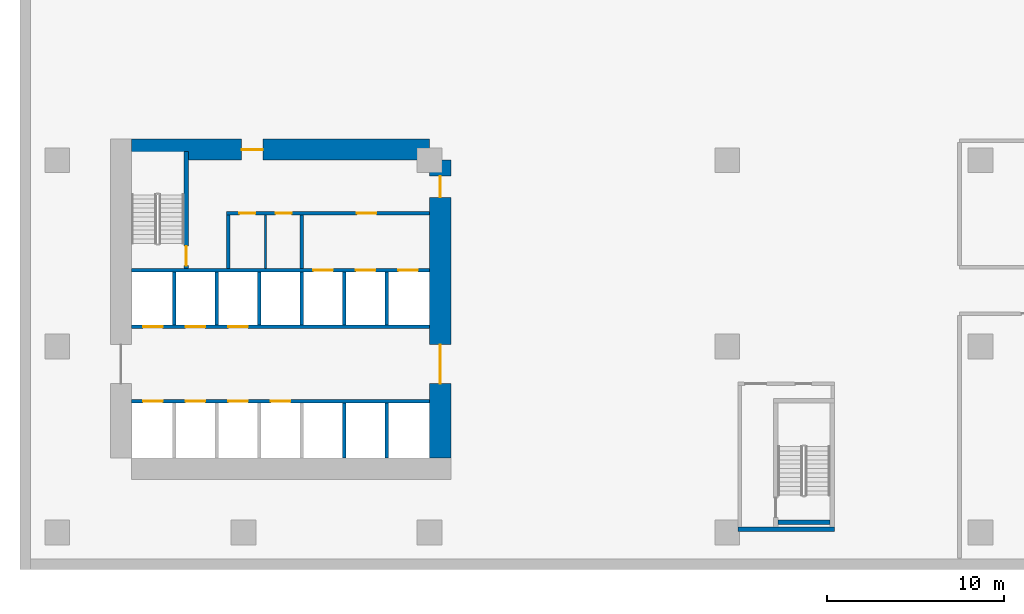
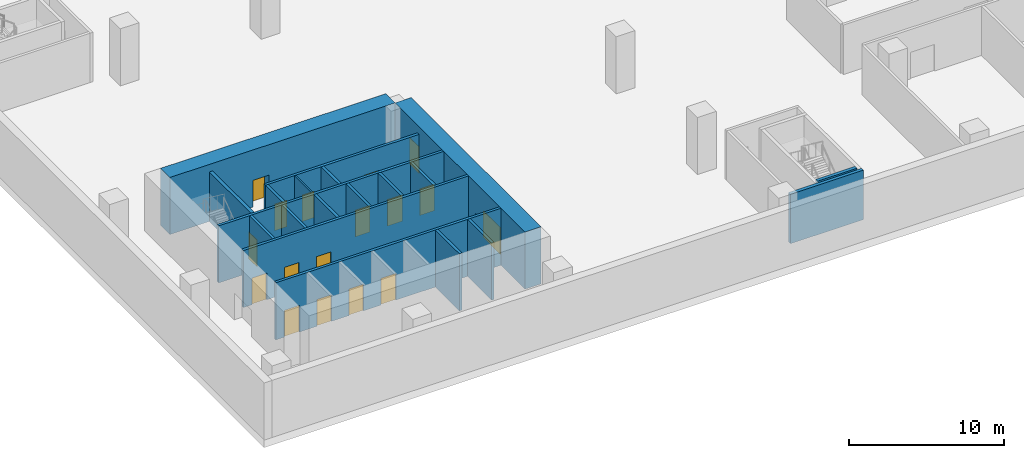
# One storey, part 2 of 12: 20 walls, 17 doors, 17 openings.
"""IFC4 building model written with IfcOpenShell, lengths in metres."""

from ifc_helpers import new_model, si_unit, direction, frame, frame_2d, origin, place, context, subcontext, project, spatial, rectangle, extrude, source, transform, mapped, material, layer, layer_set, type_object, element, fill, save


model = new_model("IFC4")

# Units and contexts
model_context = context("Model", 3, precision=1e-05, world=origin(), true_north=direction((0.0, 1.0)))
body_context = subcontext(model_context, "Body", "Model", "MODEL_VIEW")
ifc_project = project(units=[si_unit("LENGTHUNIT", "METRE"), si_unit("AREAUNIT", "SQUARE_METRE"), si_unit("VOLUMEUNIT", "CUBIC_METRE"), si_unit("PLANEANGLEUNIT", "RADIAN"), si_unit("MASSUNIT", "GRAM", prefix="KILO")], contexts=[model_context])

# Site, building, storey
site_placement = place(None, origin())
site = spatial("IfcSite", under=ifc_project, at=site_placement, CompositionType="ELEMENT")
building_placement = place(site_placement, origin())
building = spatial("IfcBuilding", under=site, at=building_placement, Name="Aurelian Terraces", CompositionType="ELEMENT")
storey_placement = place(building_placement, frame((0.0, 0.0, -4.5)))
storey = spatial("IfcBuildingStorey", under=building, at=storey_placement, Name="B1", CompositionType="ELEMENT", Elevation=-4.5)

# Wall, openings, doors
ifc_material_1 = material(Name="Concrete fc' 83 MPa", Category="concrete")
ifc_layer_1 = layer(ifc_material_1, 1.2)
ifc_layer_set_1 = layer_set([ifc_layer_1], Name="CORE WALL 1200 FC83")
wall_type_1 = type_object("IfcWallType", Name="CORE WALL 1200 FC83", PredefinedType="SHEAR", material=ifc_layer_set_1)
shared_shape_1 = source(origin(), body_context, "Body", "SweptSolid", [
    extrude(rectangle(XDim=16.8, YDim=1.2, at=frame_2d((8.4, 0.0))), origin(), (0.0, 0.0, 1.0), 4.5),
])
wall_1_placement = place(storey_placement, frame((21.6, 4.2, 0.0), z_axis=(0.0, 0.0, 1.0), x_axis=(0.0, 1.0, 0.0)))
wall_1 = element("IfcWall", 1, at=wall_1_placement, inside=storey, type_object=wall_type_1, Name="Core wall E B1", PredefinedType="SHEAR", context=body_context, shape_type="MappedRepresentation", body=[
    mapped(shared_shape_1, transform((0.0, 0.0, 0.0), scale=1.0)),
])
shared_shape_2 = source(origin(), body_context, "Body", "SweptSolid", [
    extrude(rectangle(XDim=2.2, YDim=2.1, at=frame_2d((1.1, 1.05))), frame((0.0, 0.61, 0.0), z_axis=(0.0, -1.0, 0.0), x_axis=(1.0, 0.0, 0.0)), (0.0, 0.0, 1.0), 1.22),
])
opening_1_placement = place(wall_1_placement, frame((4.2, 0.0, 0.0)))
opening_1 = element("IfcOpeningElement", 2, at=opening_1_placement, cuts=wall_1, Name="Opening 60220", PredefinedType="OPENING", context=body_context, shape_type="MappedRepresentation", body=[
    mapped(shared_shape_2, transform((0.0, 0.0, 0.0), scale=1.0)),
])
shared_shape_3 = source(origin(), body_context, "Body", "SweptSolid", [
    extrude(rectangle(XDim=1.2, YDim=2.1, at=frame_2d((0.6, 1.05))), frame((0.0, 0.61, 0.0), z_axis=(0.0, -1.0, 0.0), x_axis=(1.0, 0.0, 0.0)), (0.0, 0.0, 1.0), 1.22),
])
opening_2_placement = place(wall_1_placement, frame((14.7, 0.0, 0.0)))
opening_2 = element("IfcOpeningElement", 3, at=opening_2_placement, cuts=wall_1, Name="Opening 60223", PredefinedType="OPENING", context=body_context, shape_type="MappedRepresentation", body=[
    mapped(shared_shape_3, transform((0.0, 0.0, 0.0), scale=1.0)),
])
ifc_material_2 = material(Name="Steel door leaf", Category="steel")
door_type_1 = type_object("IfcDoorType", Name="Core fire door 1200x2100 right", OperationType="SINGLE_SWING_RIGHT", PredefinedType="DOOR", material=ifc_material_2)
shared_shape_4 = source(origin(), body_context, "Body", "SweptSolid", [
    extrude(rectangle(XDim=1.2, YDim=2.1, at=frame_2d((0.6, 1.05))), frame((0.0, 0.025, 0.0), z_axis=(0.0, -1.0, 0.0), x_axis=(1.0, 0.0, 0.0)), (0.0, 0.0, 1.0), 0.05),
])
door_1_placement = place(opening_2_placement, origin())
door_1 = element("IfcDoor", 4, at=door_1_placement, inside=storey, type_object=door_type_1, Name="Core door 60223", OperationType="SINGLE_SWING_RIGHT", OverallHeight=2.1, OverallWidth=1.2, PredefinedType="DOOR", context=body_context, shape_type="MappedRepresentation", body=[
    mapped(shared_shape_4, transform((0.0, 0.0, 0.0), scale=1.0)),
])
fill(opening_2, door_1)
door_type_2 = type_object("IfcDoorType", Name="Core double door 2200x2100", OperationType="DOUBLE_DOOR_SINGLE_SWING", PredefinedType="DOOR", material=ifc_material_2)
shared_shape_5 = source(origin(), body_context, "Body", "SweptSolid", [
    extrude(rectangle(XDim=2.2, YDim=2.1, at=frame_2d((1.1, 1.05))), frame((0.0, 0.025, 0.0), z_axis=(0.0, -1.0, 0.0), x_axis=(1.0, 0.0, 0.0)), (0.0, 0.0, 1.0), 0.05),
])
door_2_placement = place(opening_1_placement, origin())
door_2 = element("IfcDoor", 5, at=door_2_placement, inside=storey, type_object=door_type_2, Name="Core door 60220", OperationType="DOUBLE_DOOR_SINGLE_SWING", OverallHeight=2.1, OverallWidth=2.2, PredefinedType="DOOR", context=body_context, shape_type="MappedRepresentation", body=[
    mapped(shared_shape_5, transform((0.0, 0.0, 0.0), scale=1.0)),
])
fill(opening_1, door_2)

# Wall, opening, door
wall_2_placement = place(storey_placement, frame((4.2, 21.6, 0.0), z_axis=(0.0, 0.0, 1.0), x_axis=(1.0, 0.0, 0.0)))
wall_2 = element("IfcWall", 6, at=wall_2_placement, inside=storey, type_object=wall_type_1, Name="Core wall N B1", PredefinedType="SHEAR", context=body_context, shape_type="MappedRepresentation", body=[
    mapped(shared_shape_1, transform((0.0, 0.0, 0.0), scale=1.0)),
])
opening_3_placement = place(wall_2_placement, frame((6.2, 0.0, 0.0)))
opening_3 = element("IfcOpeningElement", 7, at=opening_3_placement, cuts=wall_2, Name="Opening 60222", PredefinedType="OPENING", context=body_context, shape_type="MappedRepresentation", body=[
    mapped(shared_shape_3, transform((0.0, 0.0, 0.0), scale=1.0)),
])
door_type_3 = type_object("IfcDoorType", Name="Core fire door 1200x2100", OperationType="SINGLE_SWING_LEFT", PredefinedType="DOOR", material=ifc_material_2)
door_3_placement = place(opening_3_placement, origin())
door_3 = element("IfcDoor", 8, at=door_3_placement, inside=storey, type_object=door_type_3, Name="Core door 60222", OperationType="SINGLE_SWING_LEFT", OverallHeight=2.1, OverallWidth=1.2, PredefinedType="DOOR", context=body_context, shape_type="MappedRepresentation", body=[
    mapped(shared_shape_4, transform((0.0, 0.0, 0.0), scale=1.0)),
])
fill(opening_3, door_3)

# Walls
ifc_material_3 = material(Name="Concrete fc' 40 MPa", Category="concrete")
ifc_layer_2 = layer(ifc_material_3, 0.2)
ifc_layer_set_2 = layer_set([ifc_layer_2], Name="Lift shaft wall 200")
wall_type_2 = type_object("IfcWallType", Name="Lift shaft wall 200", PredefinedType="SOLIDWALL", material=ifc_layer_set_2)
shared_shape_6 = source(origin(), body_context, "Body", "SweptSolid", [
    extrude(rectangle(XDim=3.1, YDim=0.2, at=frame_2d((1.55, 0.0))), origin(), (0.0, 0.0, 1.0), 4.5),
])
for number, where, z_axis, x_axis, name in (
    (9, (16.2, 4.2, 0.0), (0.0, 0.0, 1.0), (0.0, 1.0, 0.0), "B1 core wall CD-A5"),
    (10, (18.6, 4.2, 0.0), (0.0, 0.0, 1.0), (0.0, 1.0, 0.0), "B1 core wall CD-A6"),
):
    element("IfcWall", number, at=place(storey_placement, frame(where, z_axis=z_axis, x_axis=x_axis)), inside=storey, type_object=wall_type_2, Name=name, PredefinedType="SOLIDWALL", context=body_context, shape_type="MappedRepresentation", body=[
        mapped(shared_shape_6, transform((0.0, 0.0, 0.0), scale=1.0)),
    ])
shared_shape_7 = source(origin(), body_context, "Body", "SweptSolid", [
    extrude(rectangle(XDim=3.0, YDim=0.2, at=frame_2d((1.5, 0.0))), origin(), (0.0, 0.0, 1.0), 4.5),
])
for number, where, z_axis, x_axis, name in (
    (11, (6.6, 11.7, 0.0), (0.0, 0.0, 1.0), (0.0, 1.0, 0.0), "B1 core wall CD-B1"),
    (12, (9.0, 11.7, 0.0), (0.0, 0.0, 1.0), (0.0, 1.0, 0.0), "B1 core wall CD-B2"),
    (13, (11.4, 11.7, 0.0), (0.0, 0.0, 1.0), (0.0, 1.0, 0.0), "B1 core wall CD-B3"),
    (14, (13.8, 11.7, 0.0), (0.0, 0.0, 1.0), (0.0, 1.0, 0.0), "B1 core wall CD-B4"),
    (15, (16.2, 11.7, 0.0), (0.0, 0.0, 1.0), (0.0, 1.0, 0.0), "B1 core wall CD-B5"),
    (16, (18.6, 11.7, 0.0), (0.0, 0.0, 1.0), (0.0, 1.0, 0.0), "B1 core wall CD-B6"),
):
    element("IfcWall", number, at=place(storey_placement, frame(where, z_axis=z_axis, x_axis=x_axis)), inside=storey, type_object=wall_type_2, Name=name, PredefinedType="SOLIDWALL", context=body_context, shape_type="MappedRepresentation", body=[
        mapped(shared_shape_7, transform((0.0, 0.0, 0.0), scale=1.0)),
    ])

# Wall, openings, doors
shared_shape_8 = source(origin(), body_context, "Body", "SweptSolid", [
    extrude(rectangle(XDim=16.8, YDim=0.2, at=frame_2d((8.4, 0.0))), origin(), (0.0, 0.0, 1.0), 4.5),
])
wall_3_placement = place(storey_placement, frame((4.2, 7.4, 0.0), z_axis=(0.0, 0.0, 1.0), x_axis=(1.0, 0.0, 0.0)))
wall_3 = element("IfcWall", 17, at=wall_3_placement, inside=storey, type_object=wall_type_2, Name="B1 core wall CF-AF1", PredefinedType="SOLIDWALL", context=body_context, shape_type="MappedRepresentation", body=[
    mapped(shared_shape_8, transform((0.0, 0.0, 0.0), scale=1.0)),
])
shared_shape_9 = source(origin(), body_context, "Body", "SweptSolid", [
    extrude(rectangle(XDim=1.1, YDim=2.1, at=frame_2d((0.55, 1.05))), frame((0.0, 0.11, 0.0), z_axis=(0.0, -1.0, 0.0), x_axis=(1.0, 0.0, 0.0)), (0.0, 0.0, 1.0), 0.22),
])
opening_4_placement = place(wall_3_placement, frame((0.65, 0.0, 0.0)))
opening_4 = element("IfcOpeningElement", 18, at=opening_4_placement, cuts=wall_3, Name="Opening 60200", PredefinedType="OPENING", context=body_context, shape_type="MappedRepresentation", body=[
    mapped(shared_shape_9, transform((0.0, 0.0, 0.0), scale=1.0)),
])
opening_5_placement = place(wall_3_placement, frame((3.05, 0.0, 0.0)))
opening_5 = element("IfcOpeningElement", 19, at=opening_5_placement, cuts=wall_3, Name="Opening 60201", PredefinedType="OPENING", context=body_context, shape_type="MappedRepresentation", body=[
    mapped(shared_shape_9, transform((0.0, 0.0, 0.0), scale=1.0)),
])
opening_6_placement = place(wall_3_placement, frame((5.45, 0.0, 0.0)))
opening_6 = element("IfcOpeningElement", 20, at=opening_6_placement, cuts=wall_3, Name="Opening 60202", PredefinedType="OPENING", context=body_context, shape_type="MappedRepresentation", body=[
    mapped(shared_shape_9, transform((0.0, 0.0, 0.0), scale=1.0)),
])
opening_7_placement = place(wall_3_placement, frame((7.85, 0.0, 0.0)))
opening_7 = element("IfcOpeningElement", 21, at=opening_7_placement, cuts=wall_3, Name="Opening 60203", PredefinedType="OPENING", context=body_context, shape_type="MappedRepresentation", body=[
    mapped(shared_shape_9, transform((0.0, 0.0, 0.0), scale=1.0)),
])
ifc_material_4 = material(Name="Stainless steel", Category="steel")
door_type_4 = type_object("IfcDoorType", Name="Lift landing door 1100x2100", OperationType="SLIDING_TO_LEFT", PredefinedType="DOOR", material=ifc_material_4)
shared_shape_10 = source(origin(), body_context, "Body", "SweptSolid", [
    extrude(rectangle(XDim=1.1, YDim=2.1, at=frame_2d((0.55, 1.05))), frame((0.0, 0.025, 0.0), z_axis=(0.0, -1.0, 0.0), x_axis=(1.0, 0.0, 0.0)), (0.0, 0.0, 1.0), 0.05),
])
door_4_placement = place(opening_4_placement, origin())
door_4 = element("IfcDoor", 22, at=door_4_placement, inside=storey, type_object=door_type_4, Name="Lift landing door LL1 B1", OperationType="SLIDING_TO_LEFT", OverallHeight=2.1, OverallWidth=1.1, PredefinedType="DOOR", context=body_context, shape_type="MappedRepresentation", body=[
    mapped(shared_shape_10, transform((0.0, 0.0, 0.0), scale=1.0)),
])
fill(opening_4, door_4)
door_5_placement = place(opening_5_placement, origin())
door_5 = element("IfcDoor", 23, at=door_5_placement, inside=storey, type_object=door_type_4, Name="Lift landing door LL2 B1", OperationType="SLIDING_TO_LEFT", OverallHeight=2.1, OverallWidth=1.1, PredefinedType="DOOR", context=body_context, shape_type="MappedRepresentation", body=[
    mapped(shared_shape_10, transform((0.0, 0.0, 0.0), scale=1.0)),
])
fill(opening_5, door_5)
door_6_placement = place(opening_6_placement, origin())
door_6 = element("IfcDoor", 24, at=door_6_placement, inside=storey, type_object=door_type_4, Name="Lift landing door LL3 B1", OperationType="SLIDING_TO_LEFT", OverallHeight=2.1, OverallWidth=1.1, PredefinedType="DOOR", context=body_context, shape_type="MappedRepresentation", body=[
    mapped(shared_shape_10, transform((0.0, 0.0, 0.0), scale=1.0)),
])
fill(opening_6, door_6)
door_7_placement = place(opening_7_placement, origin())
door_7 = element("IfcDoor", 25, at=door_7_placement, inside=storey, type_object=door_type_4, Name="Lift landing door LL4 B1", OperationType="SLIDING_TO_LEFT", OverallHeight=2.1, OverallWidth=1.1, PredefinedType="DOOR", context=body_context, shape_type="MappedRepresentation", body=[
    mapped(shared_shape_10, transform((0.0, 0.0, 0.0), scale=1.0)),
])
fill(opening_7, door_7)

wall_4_placement = place(storey_placement, frame((4.2, 11.6, 0.0), z_axis=(0.0, 0.0, 1.0), x_axis=(1.0, 0.0, 0.0)))
wall_4 = element("IfcWall", 26, at=wall_4_placement, inside=storey, type_object=wall_type_2, Name="B1 core wall CF-BF1", PredefinedType="SOLIDWALL", context=body_context, shape_type="MappedRepresentation", body=[
    mapped(shared_shape_8, transform((0.0, 0.0, 0.0), scale=1.0)),
])
opening_8_placement = place(wall_4_placement, frame((0.65, 0.0, 0.0)))
opening_8 = element("IfcOpeningElement", 27, at=opening_8_placement, cuts=wall_4, Name="Opening 60204", PredefinedType="OPENING", context=body_context, shape_type="MappedRepresentation", body=[
    mapped(shared_shape_9, transform((0.0, 0.0, 0.0), scale=1.0)),
])
opening_9_placement = place(wall_4_placement, frame((3.05, 0.0, 0.0)))
opening_9 = element("IfcOpeningElement", 28, at=opening_9_placement, cuts=wall_4, Name="Opening 60205", PredefinedType="OPENING", context=body_context, shape_type="MappedRepresentation", body=[
    mapped(shared_shape_9, transform((0.0, 0.0, 0.0), scale=1.0)),
])
opening_10_placement = place(wall_4_placement, frame((5.45, 0.0, 0.0)))
opening_10 = element("IfcOpeningElement", 29, at=opening_10_placement, cuts=wall_4, Name="Opening 60206", PredefinedType="OPENING", context=body_context, shape_type="MappedRepresentation", body=[
    mapped(shared_shape_9, transform((0.0, 0.0, 0.0), scale=1.0)),
])
door_8_placement = place(opening_8_placement, origin())
door_8 = element("IfcDoor", 30, at=door_8_placement, inside=storey, type_object=door_type_4, Name="Lift landing door LL5 B1", OperationType="SLIDING_TO_LEFT", OverallHeight=2.1, OverallWidth=1.1, PredefinedType="DOOR", context=body_context, shape_type="MappedRepresentation", body=[
    mapped(shared_shape_10, transform((0.0, 0.0, 0.0), scale=1.0)),
])
fill(opening_8, door_8)
door_9_placement = place(opening_9_placement, origin())
door_9 = element("IfcDoor", 31, at=door_9_placement, inside=storey, type_object=door_type_4, Name="Lift landing door LL6 B1", OperationType="SLIDING_TO_LEFT", OverallHeight=2.1, OverallWidth=1.1, PredefinedType="DOOR", context=body_context, shape_type="MappedRepresentation", body=[
    mapped(shared_shape_10, transform((0.0, 0.0, 0.0), scale=1.0)),
])
fill(opening_9, door_9)
door_10_placement = place(opening_10_placement, origin())
door_10 = element("IfcDoor", 32, at=door_10_placement, inside=storey, type_object=door_type_4, Name="Lift landing door LL7 B1", OperationType="SLIDING_TO_LEFT", OverallHeight=2.1, OverallWidth=1.1, PredefinedType="DOOR", context=body_context, shape_type="MappedRepresentation", body=[
    mapped(shared_shape_10, transform((0.0, 0.0, 0.0), scale=1.0)),
])
fill(opening_10, door_10)

wall_5_placement = place(storey_placement, frame((4.2, 14.8, 0.0), z_axis=(0.0, 0.0, 1.0), x_axis=(1.0, 0.0, 0.0)))
wall_5 = element("IfcWall", 33, at=wall_5_placement, inside=storey, type_object=wall_type_2, Name="B1 core wall CF-BB1", PredefinedType="SOLIDWALL", context=body_context, shape_type="MappedRepresentation", body=[
    mapped(shared_shape_8, transform((0.0, 0.0, 0.0), scale=1.0)),
])
opening_11_placement = place(wall_5_placement, frame((10.25, 0.0, 0.0)))
opening_11 = element("IfcOpeningElement", 34, at=opening_11_placement, cuts=wall_5, Name="Opening 60207", PredefinedType="OPENING", context=body_context, shape_type="MappedRepresentation", body=[
    mapped(shared_shape_9, transform((0.0, 0.0, 0.0), scale=1.0)),
])
opening_12_placement = place(wall_5_placement, frame((12.65, 0.0, 0.0)))
opening_12 = element("IfcOpeningElement", 35, at=opening_12_placement, cuts=wall_5, Name="Opening 60208", PredefinedType="OPENING", context=body_context, shape_type="MappedRepresentation", body=[
    mapped(shared_shape_9, transform((0.0, 0.0, 0.0), scale=1.0)),
])
opening_13_placement = place(wall_5_placement, frame((15.05, 0.0, 0.0)))
opening_13 = element("IfcOpeningElement", 36, at=opening_13_placement, cuts=wall_5, Name="Opening 60209", PredefinedType="OPENING", context=body_context, shape_type="MappedRepresentation", body=[
    mapped(shared_shape_9, transform((0.0, 0.0, 0.0), scale=1.0)),
])
door_11_placement = place(opening_11_placement, origin())
door_11 = element("IfcDoor", 37, at=door_11_placement, inside=storey, type_object=door_type_4, Name="Lift landing door F1 B1", OperationType="SLIDING_TO_LEFT", OverallHeight=2.1, OverallWidth=1.1, PredefinedType="DOOR", context=body_context, shape_type="MappedRepresentation", body=[
    mapped(shared_shape_10, transform((0.0, 0.0, 0.0), scale=1.0)),
])
fill(opening_11, door_11)
door_12_placement = place(opening_12_placement, origin())
door_12 = element("IfcDoor", 38, at=door_12_placement, inside=storey, type_object=door_type_4, Name="Lift landing door F2 B1", OperationType="SLIDING_TO_LEFT", OverallHeight=2.1, OverallWidth=1.1, PredefinedType="DOOR", context=body_context, shape_type="MappedRepresentation", body=[
    mapped(shared_shape_10, transform((0.0, 0.0, 0.0), scale=1.0)),
])
fill(opening_12, door_12)
door_13_placement = place(opening_13_placement, origin())
door_13 = element("IfcDoor", 39, at=door_13_placement, inside=storey, type_object=door_type_4, Name="Lift landing door F3 B1", OperationType="SLIDING_TO_LEFT", OverallHeight=2.1, OverallWidth=1.1, PredefinedType="DOOR", context=body_context, shape_type="MappedRepresentation", body=[
    mapped(shared_shape_10, transform((0.0, 0.0, 0.0), scale=1.0)),
])
fill(opening_13, door_13)

# Walls
ifc_material_5 = material(Name="Gypsum board on steel studs", Category="steel")
ifc_layer_3 = layer(ifc_material_5, 0.2)
ifc_layer_set_3 = layer_set([ifc_layer_3], Name="Core partition 200")
wall_type_3 = type_object("IfcWallType", Name="Core partition 200", PredefinedType="PARTITIONING", material=ifc_layer_set_3)
shared_shape_11 = source(origin(), body_context, "Body", "SweptSolid", [
    extrude(rectangle(XDim=3.0, YDim=0.2, at=frame_2d((1.5, 0.0))), origin(), (0.0, 0.0, 1.0), 3.9),
])
for number, where, z_axis, x_axis, name in (
    (40, (9.65, 14.9, 0.0), (0.0, 0.0, 1.0), (0.0, 1.0, 0.0), "B1 core wall CP-VEST"),
    (41, (13.8, 14.9, 0.0), (0.0, 0.0, 1.0), (0.0, 1.0, 0.0), "B1 core wall CP-FFL"),
):
    element("IfcWall", number, at=place(storey_placement, frame(where, z_axis=z_axis, x_axis=x_axis)), inside=storey, type_object=wall_type_3, Name=name, PredefinedType="PARTITIONING", context=body_context, shape_type="MappedRepresentation", body=[
        mapped(shared_shape_11, transform((0.0, 0.0, 0.0), scale=1.0)),
    ])
ifc_layer_4 = layer(ifc_material_3, 0.25)
ifc_layer_set_4 = layer_set([ifc_layer_4], Name="Stair enclosure wall 250")
wall_type_4 = type_object("IfcWallType", Name="Stair enclosure wall 250", PredefinedType="SOLIDWALL", material=ifc_layer_set_4)
shared_shape_12 = source(origin(), body_context, "Body", "SweptSolid", [
    extrude(rectangle(XDim=2.95, YDim=0.25, at=frame_2d((1.475, 0.0))), origin(), (0.0, 0.0, 1.0), 3.9),
])
wall_6_placement = place(storey_placement, frame((40.65, 0.575, 0.0), z_axis=(0.0, 0.0, 1.0), x_axis=(1.0, 0.0, 0.0)))
element("IfcWall", 42, at=wall_6_placement, inside=storey, type_object=wall_type_4, Name="B1 core wall ST-S2-SS", PredefinedType="SOLIDWALL", context=body_context, shape_type="MappedRepresentation", body=[
    mapped(shared_shape_12, transform((0.0, 0.0, 0.0), scale=1.0)),
])
shared_shape_13 = source(origin(), body_context, "Body", "SweptSolid", [
    extrude(rectangle(XDim=5.45, YDim=0.25, at=frame_2d((2.725, 0.0))), origin(), (0.0, 0.0, 1.0), 3.9),
])
wall_7_placement = place(storey_placement, frame((38.4, 0.175, 0.0), z_axis=(0.0, 0.0, 1.0), x_axis=(1.0, 0.0, 0.0)))
element("IfcWall", 43, at=wall_7_placement, inside=storey, type_object=wall_type_4, Name="B1 core wall ST-S2-S", PredefinedType="SOLIDWALL", context=body_context, shape_type="MappedRepresentation", body=[
    mapped(shared_shape_13, transform((0.0, 0.0, 0.0), scale=1.0)),
])

# Wall, opening, door
shared_shape_14 = source(origin(), body_context, "Body", "SweptSolid", [
    extrude(rectangle(XDim=6.6, YDim=0.25, at=frame_2d((3.3, 0.0))), origin(), (0.0, 0.0, 1.0), 3.9),
])
wall_8_placement = place(storey_placement, frame((7.275, 14.9, 0.0), z_axis=(0.0, 0.0, 1.0), x_axis=(0.0, 1.0, 0.0)))
wall_8 = element("IfcWall", 44, at=wall_8_placement, inside=storey, type_object=wall_type_4, Name="B1 core wall ST-S1-E", PredefinedType="SOLIDWALL", context=body_context, shape_type="MappedRepresentation", body=[
    mapped(shared_shape_14, transform((0.0, 0.0, 0.0), scale=1.0)),
])
shared_shape_15 = source(origin(), body_context, "Body", "SweptSolid", [
    extrude(rectangle(XDim=1.1, YDim=2.1, at=frame_2d((0.55, 1.05))), frame((0.0, 0.135, 0.0), z_axis=(0.0, -1.0, 0.0), x_axis=(1.0, 0.0, 0.0)), (0.0, 0.0, 1.0), 0.27),
])
opening_14_placement = place(wall_8_placement, frame((0.15, 0.0, 0.0)))
opening_14 = element("IfcOpeningElement", 45, at=opening_14_placement, cuts=wall_8, Name="Opening 60210", PredefinedType="OPENING", context=body_context, shape_type="MappedRepresentation", body=[
    mapped(shared_shape_15, transform((0.0, 0.0, 0.0), scale=1.0)),
])
door_type_5 = type_object("IfcDoorType", Name="Core fire door 1100x2100", OperationType="SINGLE_SWING_LEFT", PredefinedType="DOOR", material=ifc_material_2)
door_14_placement = place(opening_14_placement, origin())
door_14 = element("IfcDoor", 46, at=door_14_placement, inside=storey, type_object=door_type_5, Name="Stair door 60210", OperationType="SINGLE_SWING_LEFT", OverallHeight=2.1, OverallWidth=1.1, PredefinedType="DOOR", context=body_context, shape_type="MappedRepresentation", body=[
    mapped(shared_shape_10, transform((0.0, 0.0, 0.0), scale=1.0)),
])
fill(opening_14, door_14)

# Wall, openings, doors
shared_shape_16 = source(origin(), body_context, "Body", "SweptSolid", [
    extrude(rectangle(XDim=11.45, YDim=0.2, at=frame_2d((5.725, 0.0))), origin(), (0.0, 0.0, 1.0), 3.9),
])
wall_9_placement = place(storey_placement, frame((9.55, 18.0, 0.0), z_axis=(0.0, 0.0, 1.0), x_axis=(1.0, 0.0, 0.0)))
wall_9 = element("IfcWall", 47, at=wall_9_placement, inside=storey, type_object=wall_type_3, Name="B1 core wall CP-NORTH", PredefinedType="PARTITIONING", context=body_context, shape_type="MappedRepresentation", body=[
    mapped(shared_shape_16, transform((0.0, 0.0, 0.0), scale=1.0)),
])
shared_shape_17 = source(origin(), body_context, "Body", "SweptSolid", [
    extrude(rectangle(XDim=0.9, YDim=2.1, at=frame_2d((0.45, 1.05))), frame((0.0, 0.11, 0.0), z_axis=(0.0, -1.0, 0.0), x_axis=(1.0, 0.0, 0.0)), (0.0, 0.0, 1.0), 0.22),
])
opening_15_placement = place(wall_9_placement, frame((0.725, 0.0, 0.0)))
opening_15 = element("IfcOpeningElement", 48, at=opening_15_placement, cuts=wall_9, Name="Opening 60211", PredefinedType="OPENING", context=body_context, shape_type="MappedRepresentation", body=[
    mapped(shared_shape_17, transform((0.0, 0.0, 0.0), scale=1.0)),
])
opening_16_placement = place(wall_9_placement, frame((2.775, 0.0, 0.0)))
opening_16 = element("IfcOpeningElement", 49, at=opening_16_placement, cuts=wall_9, Name="Opening 60212", PredefinedType="OPENING", context=body_context, shape_type="MappedRepresentation", body=[
    mapped(shared_shape_17, transform((0.0, 0.0, 0.0), scale=1.0)),
])
opening_17_placement = place(wall_9_placement, frame((7.35, 0.0, 0.0)))
opening_17 = element("IfcOpeningElement", 50, at=opening_17_placement, cuts=wall_9, Name="Opening 60213", PredefinedType="OPENING", context=body_context, shape_type="MappedRepresentation", body=[
    mapped(shared_shape_9, transform((0.0, 0.0, 0.0), scale=1.0)),
])
door_type_6 = type_object("IfcDoorType", Name="Core service door 900x2100 right", OperationType="SINGLE_SWING_RIGHT", PredefinedType="DOOR", material=ifc_material_2)
shared_shape_18 = source(origin(), body_context, "Body", "SweptSolid", [
    extrude(rectangle(XDim=0.9, YDim=2.1, at=frame_2d((0.45, 1.05))), frame((0.0, 0.025, 0.0), z_axis=(0.0, -1.0, 0.0), x_axis=(1.0, 0.0, 0.0)), (0.0, 0.0, 1.0), 0.05),
])
door_15_placement = place(opening_15_placement, origin())
door_15 = element("IfcDoor", 51, at=door_15_placement, inside=storey, type_object=door_type_6, Name="Room door 60211", OperationType="SINGLE_SWING_RIGHT", OverallHeight=2.1, OverallWidth=0.9, PredefinedType="DOOR", context=body_context, shape_type="MappedRepresentation", body=[
    mapped(shared_shape_18, transform((0.0, 0.0, 0.0), scale=1.0)),
])
fill(opening_15, door_15)
door_type_7 = type_object("IfcDoorType", Name="Core service door 900x2100", OperationType="SINGLE_SWING_LEFT", PredefinedType="DOOR", material=ifc_material_2)
door_16_placement = place(opening_16_placement, origin())
door_16 = element("IfcDoor", 52, at=door_16_placement, inside=storey, type_object=door_type_7, Name="Room door 60212", OperationType="SINGLE_SWING_LEFT", OverallHeight=2.1, OverallWidth=0.9, PredefinedType="DOOR", context=body_context, shape_type="MappedRepresentation", body=[
    mapped(shared_shape_18, transform((0.0, 0.0, 0.0), scale=1.0)),
])
fill(opening_16, door_16)
door_type_8 = type_object("IfcDoorType", Name="Core fire door 1100x2100 right", OperationType="SINGLE_SWING_RIGHT", PredefinedType="DOOR", material=ifc_material_2)
door_17_placement = place(opening_17_placement, origin())
door_17 = element("IfcDoor", 53, at=door_17_placement, inside=storey, type_object=door_type_8, Name="Ff lobby door 60213", OperationType="SINGLE_SWING_RIGHT", OverallHeight=2.1, OverallWidth=1.1, PredefinedType="DOOR", context=body_context, shape_type="MappedRepresentation", body=[
    mapped(shared_shape_10, transform((0.0, 0.0, 0.0), scale=1.0)),
])
fill(opening_17, door_17)

# Wall
ifc_layer_5 = layer(ifc_material_5, 0.1)
ifc_layer_set_5 = layer_set([ifc_layer_5], Name="Core partition 100")
wall_type_5 = type_object("IfcWallType", Name="Core partition 100", PredefinedType="PARTITIONING", material=ifc_layer_set_5)
shared_shape_19 = source(origin(), body_context, "Body", "SweptSolid", [
    extrude(rectangle(XDim=3.0, YDim=0.1, at=frame_2d((1.5, 0.0))), origin(), (0.0, 0.0, 1.0), 3.9),
])
wall_10_placement = place(storey_placement, frame((11.75, 14.9, 0.0), z_axis=(0.0, 0.0, 1.0), x_axis=(0.0, 1.0, 0.0)))
element("IfcWall", 54, at=wall_10_placement, inside=storey, type_object=wall_type_5, Name="B1 core wall CP-SV1", PredefinedType="PARTITIONING", context=body_context, shape_type="MappedRepresentation", body=[
    mapped(shared_shape_19, transform((0.0, 0.0, 0.0), scale=1.0)),
])

save(model, "model.ifc")
